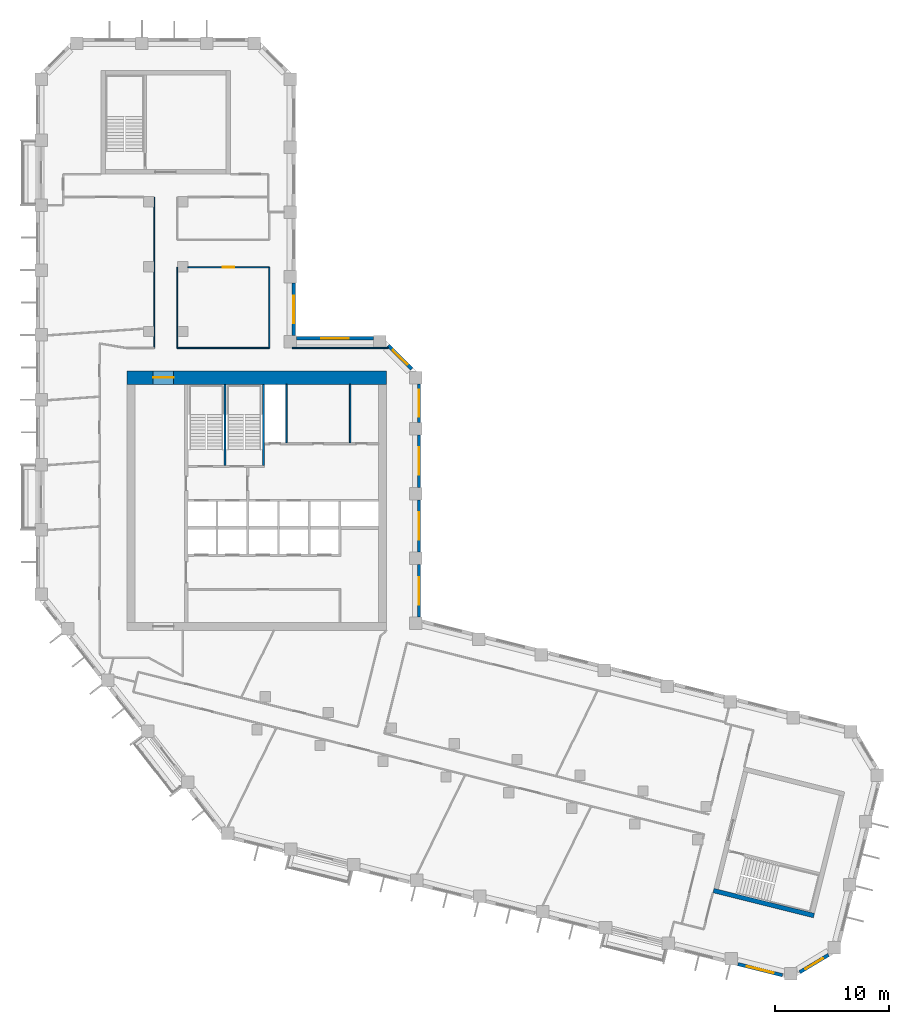
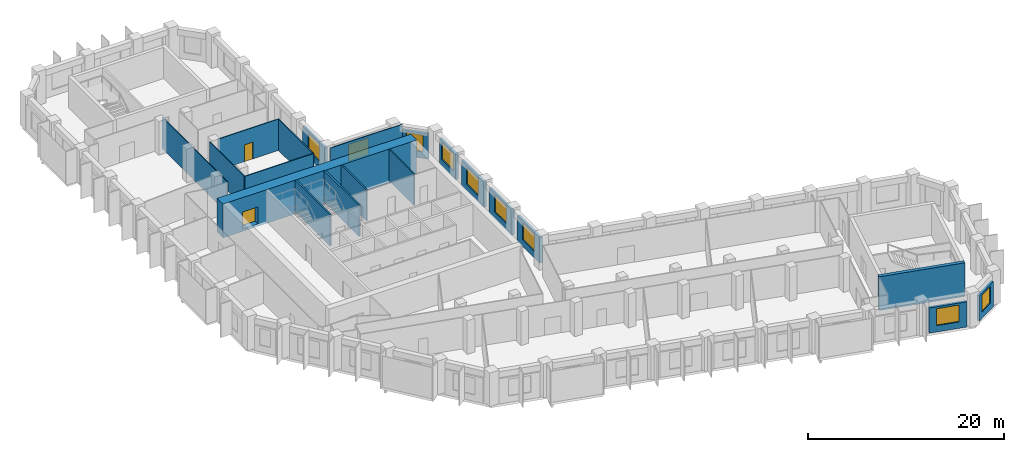
# One storey, part 6 of 10: 21 walls, 9 windows, 2 doors, 11 openings.
"""IFC4 building model written with IfcOpenShell, lengths in metres."""

import ifcopenshell
import ifcopenshell.guid

model = None  # the IFC model being written
_history = None  # IfcOwnerHistory: only IFC2X3 demands one
_inside = {}  # id of a spatial element -> (the spatial element, [elements in it])
_under = {}  # id of a project, library or spatial element -> (it, [spatial elements below it])
_declared = {}  # id of a project -> (the project, [libraries it declares])
_typed = {}  # id of a type object -> (the type object, [elements of that type])
_made_of = {}  # id of a material, layer set ... -> (it, [elements and type objects made of it])


def new_model(schema):
    """Start an empty IFC model of exactly this schema.

    Asked for "IFC4X3", IfcOpenShell would pick the latest addendum, in which some entities
    have other attributes; the version numbers below select the first issue.
    IFC2X3 requires an IfcOwnerHistory on every rooted entity: one is made here for all.
    """
    global model, _history
    if schema == "IFC4X3":
        model = ifcopenshell.file(schema_version=(4, 3, 0, 0))
    else:
        model = ifcopenshell.file(schema=schema)
    _inside.clear()
    _under.clear()
    _declared.clear()
    _typed.clear()
    _made_of.clear()
    _history = None
    if model.schema == "IFC2X3":
        org = make("IfcOrganization", Name="unknown")
        user = make(
            "IfcPersonAndOrganization",
            ThePerson=make("IfcPerson", FamilyName="unknown"),
            TheOrganization=org,
        )
        app = make(
            "IfcApplication",
            ApplicationDeveloper=org,
            Version="unknown",
            ApplicationFullName="unknown",
            ApplicationIdentifier="unknown",
        )
        _history = make(
            "IfcOwnerHistory",
            OwningUser=user,
            OwningApplication=app,
            ChangeAction="ADDED",
            CreationDate=0,
        )
    return model


def make(cls, **values):
    """One entity of the class cls with the attributes given. An attribute that is None is left unset."""
    return model.create_entity(
        cls, **{name: value for name, value in values.items() if value is not None}
    )


def rooted(cls, **values):
    """An entity with a GlobalId (a new one), such as an element, a storey or a relation."""
    return make(cls, GlobalId=ifcopenshell.guid.new(), OwnerHistory=_history, **values)


def si_unit(unit_type, name, prefix=None):
    """IfcSIUnit, for example si_unit("LENGTHUNIT", "METRE", prefix="MILLI")."""
    return make("IfcSIUnit", UnitType=unit_type, Prefix=prefix, Name=name)


def assignment(units):
    """IfcUnitAssignment: the units of a project."""
    return None if units is None else make("IfcUnitAssignment", Units=units)


def point(xyz):
    """IfcCartesianPoint."""
    return None if xyz is None else make("IfcCartesianPoint", Coordinates=xyz)


def direction(xyz):
    """IfcDirection."""
    return None if xyz is None else make("IfcDirection", DirectionRatios=xyz)


def frame(location, z_axis=None, x_axis=None):
    """IfcAxis2Placement3D, a coordinate frame: its origin and axes. An axis left out is left unset."""
    return make(
        "IfcAxis2Placement3D",
        Location=point(location),
        Axis=direction(z_axis),
        RefDirection=direction(x_axis),
    )


def frame_2d(location, x_axis=None):
    """IfcAxis2Placement2D, a coordinate frame in the plane: its origin and x axis."""
    return make(
        "IfcAxis2Placement2D", Location=point(location), RefDirection=direction(x_axis)
    )


def origin():
    """The frame at (0, 0, 0) with its axes left unset."""
    return frame((0.0, 0.0, 0.0))


def place(relative_to, where):
    """IfcLocalPlacement: puts the frame where relative to a parent placement (None: the world)."""
    return make(
        "IfcLocalPlacement", PlacementRelTo=relative_to, RelativePlacement=where
    )


def context(
    kind, dimensions, precision=None, world=None, true_north=None, identifier=None
):
    """IfcGeometricRepresentationContext, for example the 3D "Model" context."""
    return make(
        "IfcGeometricRepresentationContext",
        ContextIdentifier=identifier,
        ContextType=kind,
        CoordinateSpaceDimension=dimensions,
        Precision=precision,
        WorldCoordinateSystem=world,
        TrueNorth=true_north,
    )


def subcontext(parent, identifier, kind, view, scale=None):
    """IfcGeometricRepresentationSubContext, for example "Body" below "Model"."""
    return make(
        "IfcGeometricRepresentationSubContext",
        ContextIdentifier=identifier,
        ContextType=kind,
        ParentContext=parent,
        TargetScale=scale,
        TargetView=view,
    )


def project(units=None, contexts=None):
    """IfcProject with its units and contexts."""
    return rooted(
        "IfcProject",
        Name="project",
        RepresentationContexts=contexts,
        UnitsInContext=assignment(units),
    )


def spatial(cls, under=None, at=None, **own):
    """A site, building, storey or space (cls), placed at a placement, below another one or the project."""
    s = rooted(cls, ObjectPlacement=at, **own)
    if under is not None:
        _under.setdefault(under.id(), (under, []))[1].append(s)
    return s


def profile(cls, at=None, kind="AREA", **sizes):
    """A parametric profile (cls). Its sizes go by their IFC names, for example OverallWidth=200.0."""
    return make(cls, ProfileType=kind, Position=at, **sizes)


def rectangle(**sizes):
    """IfcRectangleProfileDef."""
    return profile("IfcRectangleProfileDef", **sizes)


def extrude(swept, where, along, depth):
    """IfcExtrudedAreaSolid: the profile swept, set in the frame where, extruded along a direction by depth."""
    return make(
        "IfcExtrudedAreaSolid",
        SweptArea=swept,
        Position=where,
        ExtrudedDirection=direction(along),
        Depth=depth,
    )


def shape(context_of_items, identifier, shape_type, items):
    """IfcShapeRepresentation: the items that make up one representation, for example the "Body"."""
    return make(
        "IfcShapeRepresentation",
        ContextOfItems=context_of_items,
        RepresentationIdentifier=identifier,
        RepresentationType=shape_type,
        Items=items,
    )


def material(Name=None, Category=None):
    """IfcMaterial."""
    return make("IfcMaterial", Name=Name, Category=Category)


def layer(
    of_material, thickness, ventilated=None, Name=None, Category=None, Priority=None
):
    """IfcMaterialLayer: one layer of a wall or slab, of a material (None: an air gap)."""
    return make(
        "IfcMaterialLayer",
        Material=of_material,
        LayerThickness=thickness,
        IsVentilated=ventilated,
        Name=Name,
        Category=Category,
        Priority=Priority,
    )


def layer_set(layers, Name=None):
    """IfcMaterialLayerSet."""
    return make("IfcMaterialLayerSet", MaterialLayers=layers, LayerSetName=Name)


def made_of(thing, what):
    """Note that an element or type object is made of a material, layer set ...; save() writes the relation."""
    if what is not None:
        _made_of.setdefault(what.id(), (what, []))[1].append(thing)
    return thing


def type_object(cls, material=None, **own):
    """A type object (cls), such as IfcWallType, which elements share."""
    return made_of(rooted(cls, **own), material)


def element(
    cls,
    number,
    at=None,
    inside=None,
    cuts=None,
    type_object=None,
    material=None,
    context=None,
    identifier="Body",
    shape_type=None,
    held_by="IfcProductDefinitionShape",
    body=None,
    shapes=None,
    **own,
):
    """One element of the class cls, such as IfcWall. Its Tag is "e" and its number.

    at: its placement. inside: the storey or other place that contains it. cuts: it is an
    opening in that element (IfcRelVoidsElement). A single representation is given by context,
    identifier, shape_type and body (its items); several are given by shapes. held_by: the class
    of the entity that holds the representations. save() writes the other relations.
    """
    e = rooted(cls, Tag="e%d" % number, ObjectPlacement=at, **own)
    if body is not None:
        shapes = [shape(context, identifier, shape_type, body)]
    if shapes is not None:
        e.Representation = make(held_by, Representations=shapes)
    if inside is not None:
        _inside.setdefault(inside.id(), (inside, []))[1].append(e)
    if cuts is not None:
        rooted(
            "IfcRelVoidsElement", RelatingBuildingElement=cuts, RelatedOpeningElement=e
        )
    if type_object is not None:
        _typed.setdefault(type_object.id(), (type_object, []))[1].append(e)
    return made_of(e, material)


def fill(opening, filler):
    """IfcRelFillsElement: the door or window that sits in an opening."""
    return rooted(
        "IfcRelFillsElement",
        RelatingOpeningElement=opening,
        RelatedBuildingElement=filler,
    )


def aggregate(whole, parts):
    """IfcRelAggregates: a whole, such as a stair, and the parts it consists of."""
    return rooted("IfcRelAggregates", RelatingObject=whole, RelatedObjects=parts)


def save(model, path):
    """Write the relations noted so far, then the file.

    IfcRelAggregates (storeys below a building ...), IfcRelContainedInSpatialStructure (elements
    in a storey), IfcRelDefinesByType, IfcRelAssociatesMaterial and IfcRelDeclares: one each for
    every whole, place, type object, material and project.
    """
    for whole, parts in _under.values():
        aggregate(whole, parts)
    for where, things in _inside.values():
        rooted(
            "IfcRelContainedInSpatialStructure",
            RelatedElements=things,
            RelatingStructure=where,
        )
    for kind, things in _typed.values():
        rooted("IfcRelDefinesByType", RelatedObjects=things, RelatingType=kind)
    for what, things in _made_of.values():
        rooted("IfcRelAssociatesMaterial", RelatedObjects=things, RelatingMaterial=what)
    for by, libraries in _declared.values():
        rooted("IfcRelDeclares", RelatingContext=by, RelatedDefinitions=libraries)
    model.write(path)


model = new_model("IFC4")

# Units and contexts
model_context = context("Model", 3, precision=1e-05, world=origin(), true_north=direction((0.0, 1.0)))
body_context = subcontext(model_context, "Body", "Model", "MODEL_VIEW")
ifc_project = project(units=[si_unit("LENGTHUNIT", "METRE"), si_unit("AREAUNIT", "SQUARE_METRE"), si_unit("VOLUMEUNIT", "CUBIC_METRE"), si_unit("PLANEANGLEUNIT", "RADIAN"), si_unit("MASSUNIT", "GRAM", prefix="KILO")], contexts=[model_context])

# Site, building, storey
site_placement = place(None, origin())
site = spatial("IfcSite", under=ifc_project, at=site_placement, CompositionType="ELEMENT")
building_placement = place(site_placement, origin())
building = spatial("IfcBuilding", under=site, at=building_placement, Name="Meshkara Civic Tower", CompositionType="ELEMENT")
storey_placement = place(building_placement, frame((0.0, 0.0, 276.0)))
storey = spatial("IfcBuildingStorey", under=building, at=storey_placement, Name="L63", CompositionType="ELEMENT", Elevation=276.0)

# Walls
ifc_material_1 = material(Name="Blockwork", Category="masonry")
ifc_layer_1 = layer(ifc_material_1, 0.14990234375)
ifc_layer_set_1 = layer_set([ifc_layer_1], Name="Core partition 150")
wall_type_1 = type_object("IfcWallType", Name="Core partition 150", PredefinedType="PARTITIONING", material=ifc_layer_set_1)
for number, where, z_axis, x_axis, name in (
    (1, (22.0, 30.574951171875, 0.0), (0.0, 0.0, 1.0), (0.0, 1.0, 0.0), "L63-C017"),
    (2, (27.60009765625, 30.574951171875, 0.0), (0.0, 0.0, 1.0), (0.0, 1.0, 0.0), "L63-C021"),
):
    element("IfcWall", number, at=place(storey_placement, frame(where, z_axis=z_axis, x_axis=x_axis)), inside=storey, type_object=wall_type_1, Name=name, PredefinedType="PARTITIONING", context=body_context, shape_type="SweptSolid", body=[
        extrude(rectangle(XDim=5.125, YDim=0.14990234375, at=frame_2d((2.5625, 0.0))), origin(), (0.0, 0.0, 1.0), 3.89990234375),
    ])

# Wall, opening, door
ifc_material_2 = material(Name="Concrete C60", Category="concrete")
ifc_layer_2 = layer(ifc_material_2, 1.199951171875)
ifc_layer_set_2 = layer_set([ifc_layer_2], Name="Core ring wall 1200 C60")
wall_type_2 = type_object("IfcWallType", Name="Core ring wall 1200 C60", PredefinedType="SHEAR", material=ifc_layer_set_2)
wall_1_placement = place(storey_placement, frame((8.0, 36.300048828125, -0.300048828125), z_axis=(0.0, 0.0, 1.0), x_axis=(1.0, 0.0, 0.0)))
wall_1 = element("IfcWall", 3, at=wall_1_placement, inside=storey, type_object=wall_type_2, Name="L63-C002", PredefinedType="SHEAR", context=body_context, shape_type="SweptSolid", body=[
    extrude(rectangle(XDim=22.800048828125, YDim=1.199951171875, at=frame_2d((11.39990234375, 0.0))), origin(), (0.0, 0.0, 1.0), 4.199951171875),
])
opening_1_placement = place(wall_1_placement, frame((2.300048828125, 0.0, 0.300048828125)))
opening_1 = element("IfcOpeningElement", 4, at=opening_1_placement, cuts=wall_1, Name="Opening L63-K019", PredefinedType="OPENING", context=body_context, shape_type="SweptSolid", body=[
    extrude(rectangle(XDim=1.800048828125, YDim=2.10009765625, at=frame_2d((0.89990234375, 1.050048828125))), frame((0.0, 0.60986328125, 0.0), z_axis=(0.0, -1.0, 0.0), x_axis=(1.0, 0.0, 0.0)), (0.0, 0.0, 1.0), 1.219970703125),
])
ifc_material_3 = material(Name="Fire-rated door leaf in steel frame", Category="steel")
door_type_1 = type_object("IfcDoorType", Name="Core double door 1800 EI 60", OperationType="DOUBLE_DOOR_SINGLE_SWING", PredefinedType="DOOR", material=ifc_material_3)
door_1_placement = place(opening_1_placement, origin())
door_1 = element("IfcDoor", 5, at=door_1_placement, inside=storey, type_object=door_type_1, Name="L63-K019", OperationType="DOUBLE_DOOR_SINGLE_SWING", OverallHeight=2.10009765625, OverallWidth=1.800048828125, PredefinedType="DOOR", context=body_context, shape_type="SweptSolid", body=[
    extrude(rectangle(XDim=1.800048828125, YDim=2.10009765625, at=frame_2d((0.89990234375, 1.050048828125))), frame((0.0, 0.02490234375, 0.0), z_axis=(0.0, -1.0, 0.0), x_axis=(1.0, 0.0, 0.0)), (0.0, 0.0, 1.0), 0.050048828125),
])
fill(opening_1, door_1)

# Walls
ifc_material_4 = material(Name="Corridor wall 100")
ifc_layer_3 = layer(ifc_material_4, 0.10009765625)
ifc_layer_set_3 = layer_set([ifc_layer_3], Name="Corridor wall 100")
wall_type_3 = type_object("IfcWallType", Name="Corridor wall 100", PredefinedType="PARTITIONING", material=ifc_layer_set_3)
wall_2_placement = place(storey_placement, frame((10.39990234375, 52.169921875, 0.0), z_axis=(0.0, 0.0, 1.0), x_axis=(0.0, -1.0, 0.0)))
element("IfcWall", 6, at=wall_2_placement, inside=storey, type_object=wall_type_3, Name="L63-W013", PredefinedType="PARTITIONING", context=body_context, shape_type="SweptSolid", body=[
    extrude(rectangle(XDim=13.27001953125, YDim=0.10009765625, at=frame_2d((6.635009765625, 0.0))), origin(), (0.0, 0.0, 1.0), 3.89990234375),
])
wall_3_placement = place(storey_placement, frame((12.39990234375, 38.89990234375, 0.0), z_axis=(0.0, 0.0, 1.0), x_axis=(0.0, 1.0, 0.0)))
element("IfcWall", 7, at=wall_3_placement, inside=storey, type_object=wall_type_3, Name="L63-W014", PredefinedType="PARTITIONING", context=body_context, shape_type="SweptSolid", body=[
    extrude(rectangle(XDim=7.09619140625, YDim=0.10009765625, at=frame_2d((3.548095703125, 0.0))), origin(), (0.0, 0.0, 1.0), 3.89990234375),
])

# Wall, opening, door
wall_4_placement = place(storey_placement, frame((13.35009765625, 46.0, 0.0), z_axis=(0.0, 0.0, 1.0), x_axis=(1.0, 0.0, 0.0)))
wall_4 = element("IfcWall", 8, at=wall_4_placement, inside=storey, type_object=wall_type_3, Name="L63-W017", PredefinedType="PARTITIONING", context=body_context, shape_type="SweptSolid", body=[
    extrude(rectangle(XDim=7.14990234375, YDim=0.10009765625, at=frame_2d((3.574951171875, 0.0))), origin(), (0.0, 0.0, 1.0), 3.89990234375),
])
opening_2_placement = place(wall_4_placement, frame((3.080078125, 0.0, 0.0)))
opening_2 = element("IfcOpeningElement", 9, at=opening_2_placement, cuts=wall_4, Name="Opening L63-D016", PredefinedType="OPENING", context=body_context, shape_type="SweptSolid", body=[
    extrude(rectangle(XDim=1.0, YDim=2.10009765625, at=frame_2d((0.5, 1.050048828125))), frame((0.0, 0.06005859375, 0.0), z_axis=(0.0, -1.0, 0.0), x_axis=(1.0, 0.0, 0.0)), (0.0, 0.0, 1.0), 0.1201171875),
])
ifc_material_5 = material(Name="Door 1000 x 2100")
door_type_2 = type_object("IfcDoorType", Name="Door 1000 x 2100", OperationType="SINGLE_SWING_LEFT", PredefinedType="DOOR", material=ifc_material_5)
door_2_placement = place(opening_2_placement, origin())
door_2 = element("IfcDoor", 10, at=door_2_placement, inside=storey, type_object=door_type_2, Name="L63-D016", OperationType="SINGLE_SWING_LEFT", OverallHeight=2.10009765625, OverallWidth=1.0, PredefinedType="DOOR", context=body_context, shape_type="SweptSolid", body=[
    extrude(rectangle(XDim=1.0, YDim=2.10009765625, at=frame_2d((0.5, 1.050048828125))), frame((0.0, 0.02490234375, 0.0), z_axis=(0.0, -1.0, 0.0), x_axis=(1.0, 0.0, 0.0)), (0.0, 0.0, 1.0), 0.050048828125),
])
fill(opening_2, door_2)

# Walls
wall_5_placement = place(storey_placement, frame((20.5, 38.89990234375, 0.0), z_axis=(0.0, 0.0, 1.0), x_axis=(-1.0, 0.0, 0.0)))
element("IfcWall", 11, at=wall_5_placement, inside=storey, type_object=wall_type_3, Name="L63-W021", PredefinedType="PARTITIONING", context=body_context, shape_type="SweptSolid", body=[
    extrude(rectangle(XDim=8.10009765625, YDim=0.10009765625, at=frame_2d((4.050048828125, 0.0))), origin(), (0.0, 0.0, 1.0), 3.89990234375),
])
wall_6_placement = place(storey_placement, frame((20.5, 46.0, 0.0), z_axis=(0.0, 0.0, 1.0), x_axis=(0.0, -1.0, 0.0)))
element("IfcWall", 12, at=wall_6_placement, inside=storey, type_object=wall_type_3, Name="L63-W022", PredefinedType="PARTITIONING", context=body_context, shape_type="SweptSolid", body=[
    extrude(rectangle(XDim=7.10009765625, YDim=0.10009765625, at=frame_2d((3.550048828125, 0.0))), origin(), (0.0, 0.0, 1.0), 3.89990234375),
])
wall_7_placement = place(storey_placement, frame((30.9560546875, 38.89990234375, 0.0), z_axis=(0.0, 0.0, 1.0), x_axis=(-1.0, 0.0, 0.0)))
element("IfcWall", 13, at=wall_7_placement, inside=storey, type_object=wall_type_3, Name="L63-W031", PredefinedType="PARTITIONING", context=body_context, shape_type="SweptSolid", body=[
    extrude(rectangle(XDim=8.4560546875, YDim=0.10009765625, at=frame_2d((4.22802734375, 0.0))), origin(), (0.0, 0.0, 1.0), 3.89990234375),
])

# Wall, opening, window
ifc_material_6 = material(Name="Insulated infill panel with bronze anodised aluminium cladding", Category="aluminium")
ifc_layer_4 = layer(ifc_material_6, 0.300048828125)
ifc_layer_set_4 = layer_set([ifc_layer_4], Name="EXTERNAL INFILL WALL 300")
wall_type_4 = type_object("IfcWallType", Name="EXTERNAL INFILL WALL 300", PredefinedType="SOLIDWALL", material=ifc_layer_set_4)
wall_8_placement = place(storey_placement, frame((33.64990234375, 15.26904296875, 0.0), z_axis=(0.0, 0.0, 1.0), x_axis=(0.0, 1.0, 0.0)))
wall_8 = element("IfcWall", 14, at=wall_8_placement, inside=storey, type_object=wall_type_4, Name="External wall", PredefinedType="SOLIDWALL", context=body_context, shape_type="SweptSolid", body=[
    extrude(rectangle(XDim=4.599853515625, YDim=0.300048828125, at=frame_2d((2.2998046875, 0.0))), origin(), (0.0, 0.0, 1.0), 3.14990234375),
])
opening_3_placement = place(wall_8_placement, frame((1.10009765625, 0.0, 0.800048828125)))
opening_3 = element("IfcOpeningElement", 15, at=opening_3_placement, cuts=wall_8, Name="Opening W7", PredefinedType="OPENING", context=body_context, shape_type="SweptSolid", body=[
    extrude(rectangle(XDim=2.39990234375, YDim=2.10009765625, at=frame_2d((1.199951171875, 1.050048828125))), frame((0.0, 0.159912109375, 0.0), z_axis=(0.0, -1.0, 0.0), x_axis=(1.0, 0.0, 0.0)), (0.0, 0.0, 1.0), 0.320068359375),
])
ifc_material_7 = material(Name="Tinted double glazing", Category="glass")
window_type_1 = type_object("IfcWindowType", Name="WINDOW 2400x2100", PartitioningType="DOUBLE_PANEL_VERTICAL", PredefinedType="WINDOW", material=ifc_material_7)
window_1_placement = place(opening_3_placement, origin())
window_1 = element("IfcWindow", 16, at=window_1_placement, inside=storey, type_object=window_type_1, Name="Window", OverallHeight=2.10009765625, OverallWidth=2.39990234375, PartitioningType="DOUBLE_PANEL_VERTICAL", PredefinedType="WINDOW", context=body_context, shape_type="SweptSolid", body=[
    extrude(rectangle(XDim=2.39990234375, YDim=2.10009765625, at=frame_2d((1.199951171875, 1.050048828125))), frame((0.0, 0.030029296875, 0.0), z_axis=(0.0, -1.0, 0.0), x_axis=(1.0, 0.0, 0.0)), (0.0, 0.0, 1.0), 0.06005859375),
])
fill(opening_3, window_1)

wall_9_placement = place(storey_placement, frame((33.64990234375, 20.968994140625, 0.0), z_axis=(0.0, 0.0, 1.0), x_axis=(0.0, 1.0, 0.0)))
wall_9 = element("IfcWall", 17, at=wall_9_placement, inside=storey, type_object=wall_type_4, Name="External wall", PredefinedType="SOLIDWALL", context=body_context, shape_type="SweptSolid", body=[
    extrude(rectangle(XDim=4.60009765625, YDim=0.300048828125, at=frame_2d((2.300048828125, 0.0))), origin(), (0.0, 0.0, 1.0), 3.14990234375),
])
opening_4_placement = place(wall_9_placement, frame((1.10009765625, 0.0, 0.800048828125)))
opening_4 = element("IfcOpeningElement", 18, at=opening_4_placement, cuts=wall_9, Name="Opening W7", PredefinedType="OPENING", context=body_context, shape_type="SweptSolid", body=[
    extrude(rectangle(XDim=2.39990234375, YDim=2.10009765625, at=frame_2d((1.199951171875, 1.050048828125))), frame((0.0, 0.159912109375, 0.0), z_axis=(0.0, -1.0, 0.0), x_axis=(1.0, 0.0, 0.0)), (0.0, 0.0, 1.0), 0.320068359375),
])
window_2_placement = place(opening_4_placement, origin())
window_2 = element("IfcWindow", 19, at=window_2_placement, inside=storey, type_object=window_type_1, Name="Window", OverallHeight=2.10009765625, OverallWidth=2.39990234375, PartitioningType="DOUBLE_PANEL_VERTICAL", PredefinedType="WINDOW", context=body_context, shape_type="SweptSolid", body=[
    extrude(rectangle(XDim=2.39990234375, YDim=2.10009765625, at=frame_2d((1.199951171875, 1.050048828125))), frame((0.0, 0.030029296875, 0.0), z_axis=(0.0, -1.0, 0.0), x_axis=(1.0, 0.0, 0.0)), (0.0, 0.0, 1.0), 0.06005859375),
])
fill(opening_4, window_2)

wall_10_placement = place(storey_placement, frame((33.64990234375, 26.6689453125, 0.0), z_axis=(0.0, 0.0, 1.0), x_axis=(0.0, 1.0, 0.0)))
wall_10 = element("IfcWall", 20, at=wall_10_placement, inside=storey, type_object=wall_type_4, Name="External wall", PredefinedType="SOLIDWALL", context=body_context, shape_type="SweptSolid", body=[
    extrude(rectangle(XDim=4.60009765625, YDim=0.300048828125, at=frame_2d((2.300048828125, 0.0))), origin(), (0.0, 0.0, 1.0), 3.14990234375),
])
opening_5_placement = place(wall_10_placement, frame((1.10009765625, 0.0, 0.800048828125)))
opening_5 = element("IfcOpeningElement", 21, at=opening_5_placement, cuts=wall_10, Name="Opening W7", PredefinedType="OPENING", context=body_context, shape_type="SweptSolid", body=[
    extrude(rectangle(XDim=2.39990234375, YDim=2.10009765625, at=frame_2d((1.199951171875, 1.050048828125))), frame((0.0, 0.159912109375, 0.0), z_axis=(0.0, -1.0, 0.0), x_axis=(1.0, 0.0, 0.0)), (0.0, 0.0, 1.0), 0.320068359375),
])
window_3_placement = place(opening_5_placement, origin())
window_3 = element("IfcWindow", 22, at=window_3_placement, inside=storey, type_object=window_type_1, Name="Window", OverallHeight=2.10009765625, OverallWidth=2.39990234375, PartitioningType="DOUBLE_PANEL_VERTICAL", PredefinedType="WINDOW", context=body_context, shape_type="SweptSolid", body=[
    extrude(rectangle(XDim=2.39990234375, YDim=2.10009765625, at=frame_2d((1.199951171875, 1.050048828125))), frame((0.0, 0.030029296875, 0.0), z_axis=(0.0, -1.0, 0.0), x_axis=(1.0, 0.0, 0.0)), (0.0, 0.0, 1.0), 0.06005859375),
])
fill(opening_5, window_3)

wall_11_placement = place(storey_placement, frame((33.64990234375, 32.368896484375, 0.0), z_axis=(0.0, 0.0, 1.0), x_axis=(0.0, 1.0, 0.0)))
wall_11 = element("IfcWall", 23, at=wall_11_placement, inside=storey, type_object=wall_type_4, Name="External wall", PredefinedType="SOLIDWALL", context=body_context, shape_type="SweptSolid", body=[
    extrude(rectangle(XDim=3.375, YDim=0.300048828125, at=frame_2d((1.6875, 0.0))), origin(), (0.0, 0.0, 1.0), 3.14990234375),
])
opening_6_placement = place(wall_11_placement, frame((0.488037109375, 0.0, 0.800048828125)))
opening_6 = element("IfcOpeningElement", 24, at=opening_6_placement, cuts=wall_11, Name="Opening W7", PredefinedType="OPENING", context=body_context, shape_type="SweptSolid", body=[
    extrude(rectangle(XDim=2.39990234375, YDim=2.10009765625, at=frame_2d((1.199951171875, 1.050048828125))), frame((0.0, 0.159912109375, 0.0), z_axis=(0.0, -1.0, 0.0), x_axis=(1.0, 0.0, 0.0)), (0.0, 0.0, 1.0), 0.320068359375),
])
window_4_placement = place(opening_6_placement, origin())
window_4 = element("IfcWindow", 25, at=window_4_placement, inside=storey, type_object=window_type_1, Name="Window", OverallHeight=2.10009765625, OverallWidth=2.39990234375, PartitioningType="DOUBLE_PANEL_VERTICAL", PredefinedType="WINDOW", context=body_context, shape_type="SweptSolid", body=[
    extrude(rectangle(XDim=2.39990234375, YDim=2.10009765625, at=frame_2d((1.199951171875, 1.050048828125))), frame((0.0, 0.030029296875, 0.0), z_axis=(0.0, -1.0, 0.0), x_axis=(1.0, 0.0, 0.0)), (0.0, 0.0, 1.0), 0.06005859375),
])
fill(opening_6, window_4)

wall_12_placement = place(storey_placement, frame((33.011962890625, 37.055908203125, 0.0), z_axis=(0.0, 0.0, 1.0), x_axis=(-0.707064797706, 0.707148762175, 0.0)))
wall_12 = element("IfcWall", 26, at=wall_12_placement, inside=storey, type_object=wall_type_4, Name="External wall", PredefinedType="SOLIDWALL", context=body_context, shape_type="SweptSolid", body=[
    extrude(rectangle(XDim=2.90771484375, YDim=0.300048828125, at=frame_2d((1.453857421875, 0.0))), origin(), (0.0, 0.0, 1.0), 3.14990234375),
])
opening_7_placement = place(wall_12_placement, frame((0.553955078125, 0.0, 0.800048828125)))
opening_7 = element("IfcOpeningElement", 27, at=opening_7_placement, cuts=wall_12, Name="Opening W9", PredefinedType="OPENING", context=body_context, shape_type="SweptSolid", body=[
    extrude(rectangle(XDim=1.800048828125, YDim=2.10009765625, at=frame_2d((0.89990234375, 1.050048828125))), frame((0.0, 0.159912109375, 0.0), z_axis=(0.0, -1.0, 0.0), x_axis=(1.0, 0.0, 0.0)), (0.0, 0.0, 1.0), 0.320068359375),
])
ifc_material_8 = material(Name="Tinted double glazing", Category="glass")
window_type_2 = type_object("IfcWindowType", Name="WINDOW 1800x2100", PartitioningType="DOUBLE_PANEL_VERTICAL", PredefinedType="WINDOW", material=ifc_material_8)
window_5_placement = place(opening_7_placement, origin())
window_5 = element("IfcWindow", 28, at=window_5_placement, inside=storey, type_object=window_type_2, Name="Window", OverallHeight=2.10009765625, OverallWidth=1.800048828125, PartitioningType="DOUBLE_PANEL_VERTICAL", PredefinedType="WINDOW", context=body_context, shape_type="SweptSolid", body=[
    extrude(rectangle(XDim=1.800048828125, YDim=2.10009765625, at=frame_2d((0.89990234375, 1.050048828125))), frame((0.0, 0.030029296875, 0.0), z_axis=(0.0, -1.0, 0.0), x_axis=(1.0, 0.0, 0.0)), (0.0, 0.0, 1.0), 0.06005859375),
])
fill(opening_7, window_5)

wall_13_placement = place(storey_placement, frame((29.64404296875, 39.75, 0.0), z_axis=(0.0, 0.0, 1.0), x_axis=(-1.0, 0.0, 0.0)))
wall_13 = element("IfcWall", 29, at=wall_13_placement, inside=storey, type_object=wall_type_4, Name="External wall", PredefinedType="SOLIDWALL", context=body_context, shape_type="SweptSolid", body=[
    extrude(rectangle(XDim=6.744140625, YDim=0.300048828125, at=frame_2d((3.3720703125, 0.0))), origin(), (0.0, 0.0, 1.0), 3.14990234375),
])
opening_8_placement = place(wall_13_placement, frame((2.172119140625, 0.0, 0.800048828125)))
opening_8 = element("IfcOpeningElement", 30, at=opening_8_placement, cuts=wall_13, Name="Opening W7", PredefinedType="OPENING", context=body_context, shape_type="SweptSolid", body=[
    extrude(rectangle(XDim=2.39990234375, YDim=2.10009765625, at=frame_2d((1.199951171875, 1.050048828125))), frame((0.0, 0.159912109375, 0.0), z_axis=(0.0, -1.0, 0.0), x_axis=(1.0, 0.0, 0.0)), (0.0, 0.0, 1.0), 0.320068359375),
])
window_6_placement = place(opening_8_placement, origin())
window_6 = element("IfcWindow", 31, at=window_6_placement, inside=storey, type_object=window_type_1, Name="Window", OverallHeight=2.10009765625, OverallWidth=2.39990234375, PartitioningType="DOUBLE_PANEL_VERTICAL", PredefinedType="WINDOW", context=body_context, shape_type="SweptSolid", body=[
    extrude(rectangle(XDim=2.39990234375, YDim=2.10009765625, at=frame_2d((1.199951171875, 1.050048828125))), frame((0.0, 0.030029296875, 0.0), z_axis=(0.0, -1.0, 0.0), x_axis=(1.0, 0.0, 0.0)), (0.0, 0.0, 1.0), 0.06005859375),
])
fill(opening_8, window_6)

wall_14_placement = place(storey_placement, frame((22.64990234375, 40.0, 0.0), z_axis=(0.0, 0.0, 1.0), x_axis=(0.0, 1.0, 0.0)))
wall_14 = element("IfcWall", 32, at=wall_14_placement, inside=storey, type_object=wall_type_4, Name="External wall", PredefinedType="SOLIDWALL", context=body_context, shape_type="SweptSolid", body=[
    extrude(rectangle(XDim=4.60009765625, YDim=0.300048828125, at=frame_2d((2.300048828125, 0.0))), origin(), (0.0, 0.0, 1.0), 3.14990234375),
])
opening_9_placement = place(wall_14_placement, frame((1.10009765625, 0.0, 0.800048828125)))
opening_9 = element("IfcOpeningElement", 33, at=opening_9_placement, cuts=wall_14, Name="Opening W7", PredefinedType="OPENING", context=body_context, shape_type="SweptSolid", body=[
    extrude(rectangle(XDim=2.39990234375, YDim=2.10009765625, at=frame_2d((1.199951171875, 1.050048828125))), frame((0.0, 0.159912109375, 0.0), z_axis=(0.0, -1.0, 0.0), x_axis=(1.0, 0.0, 0.0)), (0.0, 0.0, 1.0), 0.320068359375),
])
window_7_placement = place(opening_9_placement, origin())
window_7 = element("IfcWindow", 34, at=window_7_placement, inside=storey, type_object=window_type_1, Name="Window", OverallHeight=2.10009765625, OverallWidth=2.39990234375, PartitioningType="DOUBLE_PANEL_VERTICAL", PredefinedType="WINDOW", context=body_context, shape_type="SweptSolid", body=[
    extrude(rectangle(XDim=2.39990234375, YDim=2.10009765625, at=frame_2d((1.199951171875, 1.050048828125))), frame((0.0, 0.030029296875, 0.0), z_axis=(0.0, -1.0, 0.0), x_axis=(1.0, 0.0, 0.0)), (0.0, 0.0, 1.0), 0.06005859375),
])
fill(opening_9, window_7)

wall_15_placement = place(storey_placement, frame((61.6708984375, -15.220947265625, 0.0), z_axis=(0.0, 0.0, 1.0), x_axis=(0.97026726112, -0.242036034503, 0.0)))
wall_15 = element("IfcWall", 35, at=wall_15_placement, inside=storey, type_object=wall_type_4, Name="External wall", PredefinedType="SOLIDWALL", context=body_context, shape_type="SweptSolid", body=[
    extrude(rectangle(XDim=4.024658203125, YDim=0.300048828125, at=frame_2d((2.01220703125, 0.0))), origin(), (0.0, 0.0, 1.0), 3.14990234375),
])
opening_10_placement = place(wall_15_placement, frame((0.81201171875, 0.0, 0.800048828125)))
opening_10 = element("IfcOpeningElement", 36, at=opening_10_placement, cuts=wall_15, Name="Opening W7", PredefinedType="OPENING", context=body_context, shape_type="SweptSolid", body=[
    extrude(rectangle(XDim=2.39990234375, YDim=2.10009765625, at=frame_2d((1.199951171875, 1.050048828125))), frame((0.0, 0.159912109375, 0.0), z_axis=(0.0, -1.0, 0.0), x_axis=(1.0, 0.0, 0.0)), (0.0, 0.0, 1.0), 0.320068359375),
])
window_8_placement = place(opening_10_placement, origin())
window_8 = element("IfcWindow", 37, at=window_8_placement, inside=storey, type_object=window_type_1, Name="Window", OverallHeight=2.10009765625, OverallWidth=2.39990234375, PartitioningType="DOUBLE_PANEL_VERTICAL", PredefinedType="WINDOW", context=body_context, shape_type="SweptSolid", body=[
    extrude(rectangle(XDim=2.39990234375, YDim=2.10009765625, at=frame_2d((1.199951171875, 1.050048828125))), frame((0.0, 0.030029296875, 0.0), z_axis=(0.0, -1.0, 0.0), x_axis=(1.0, 0.0, 0.0)), (0.0, 0.0, 1.0), 0.06005859375),
])
fill(opening_10, window_8)

wall_16_placement = place(storey_placement, frame((67.097900390625, -15.93408203125, 0.0), z_axis=(0.0, 0.0, 1.0), x_axis=(0.857077006791, 0.515188319384, 0.0)))
wall_16 = element("IfcWall", 38, at=wall_16_placement, inside=storey, type_object=wall_type_4, Name="External wall", PredefinedType="SOLIDWALL", context=body_context, shape_type="SweptSolid", body=[
    extrude(rectangle(XDim=2.9541015625, YDim=0.300048828125, at=frame_2d((1.47705078125, 0.0))), origin(), (0.0, 0.0, 1.0), 3.14990234375),
])
opening_11_placement = place(wall_16_placement, frame((0.576904296875, 0.0, 0.800048828125)))
opening_11 = element("IfcOpeningElement", 39, at=opening_11_placement, cuts=wall_16, Name="Opening W9", PredefinedType="OPENING", context=body_context, shape_type="SweptSolid", body=[
    extrude(rectangle(XDim=1.800048828125, YDim=2.10009765625, at=frame_2d((0.89990234375, 1.050048828125))), frame((0.0, 0.159912109375, 0.0), z_axis=(0.0, -1.0, 0.0), x_axis=(1.0, 0.0, 0.0)), (0.0, 0.0, 1.0), 0.320068359375),
])
window_9_placement = place(opening_11_placement, origin())
window_9 = element("IfcWindow", 40, at=window_9_placement, inside=storey, type_object=window_type_2, Name="Window", OverallHeight=2.10009765625, OverallWidth=1.800048828125, PartitioningType="DOUBLE_PANEL_VERTICAL", PredefinedType="WINDOW", context=body_context, shape_type="SweptSolid", body=[
    extrude(rectangle(XDim=1.800048828125, YDim=2.10009765625, at=frame_2d((0.89990234375, 1.050048828125))), frame((0.0, 0.030029296875, 0.0), z_axis=(0.0, -1.0, 0.0), x_axis=(1.0, 0.0, 0.0)), (0.0, 0.0, 1.0), 0.06005859375),
])
fill(opening_11, window_9)

# Walls
ifc_material_9 = material(Name="Concrete C60", Category="concrete")
ifc_layer_5 = layer(ifc_material_9, 0.39990234375)
ifc_layer_set_5 = layer_set([ifc_layer_5], Name="End core ring wall 400 C60")
wall_type_5 = type_object("IfcWallType", Name="End core ring wall 400 C60", PredefinedType="SHEAR", material=ifc_layer_set_5)
wall_17_placement = place(storey_placement, frame((59.51904296875, -8.759033203125, -0.300048828125), z_axis=(0.0, 0.0, 1.0), x_axis=(0.970287509026, -0.241954850805, 0.0)))
element("IfcWall", 41, at=wall_17_placement, inside=storey, type_object=wall_type_5, Name="L63-C027", PredefinedType="SHEAR", context=body_context, shape_type="SweptSolid", body=[
    extrude(rectangle(XDim=9.1005859375, YDim=0.39990234375, at=frame_2d((4.55029296875, 0.0))), origin(), (0.0, 0.0, 1.0), 4.199951171875),
])
ifc_material_10 = material(Name="Concrete C40/50", Category="concrete")
ifc_layer_6 = layer(ifc_material_10, 0.199951171875)
ifc_layer_set_6 = layer_set([ifc_layer_6], Name="Stair enclosure wall 200 C40/50")
wall_type_6 = type_object("IfcWallType", Name="Stair enclosure wall 200 C40/50", PredefinedType="SOLIDWALL", material=ifc_layer_set_6)
for number, where, z_axis, x_axis, name in (
    (42, (16.60009765625, 28.60009765625, 0.0), (0.0, 0.0, 1.0), (0.0, 1.0, 0.0), "L63-C013"),
    (43, (20.0, 28.60009765625, 0.0), (0.0, 0.0, 1.0), (0.0, 1.0, 0.0), "L63-C015"),
):
    element("IfcWall", number, at=place(storey_placement, frame(where, z_axis=z_axis, x_axis=x_axis)), inside=storey, type_object=wall_type_6, Name=name, PredefinedType="SOLIDWALL", context=body_context, shape_type="SweptSolid", body=[
        extrude(rectangle(XDim=7.099853515625, YDim=0.199951171875, at=frame_2d((3.5498046875, 0.0))), origin(), (0.0, 0.0, 1.0), 3.89990234375),
    ])

save(model, "model.ifc")
